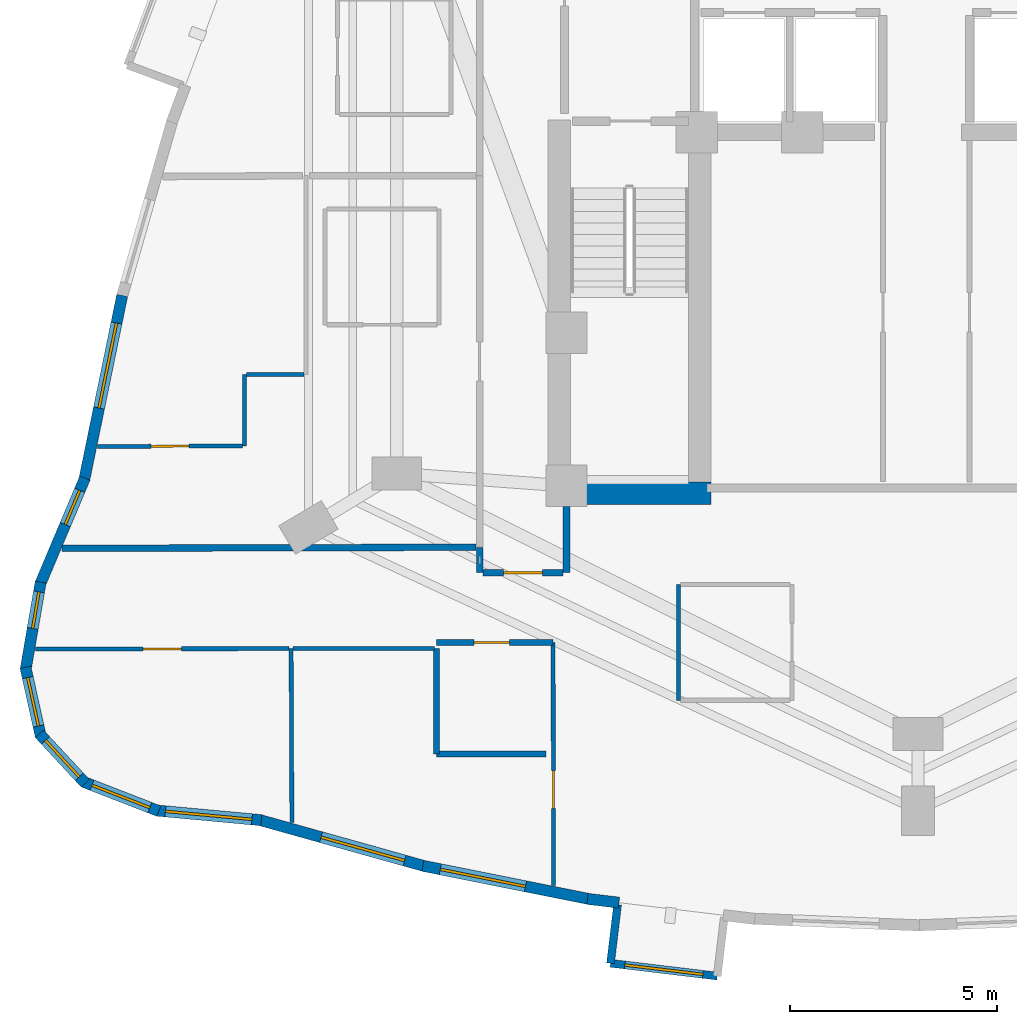
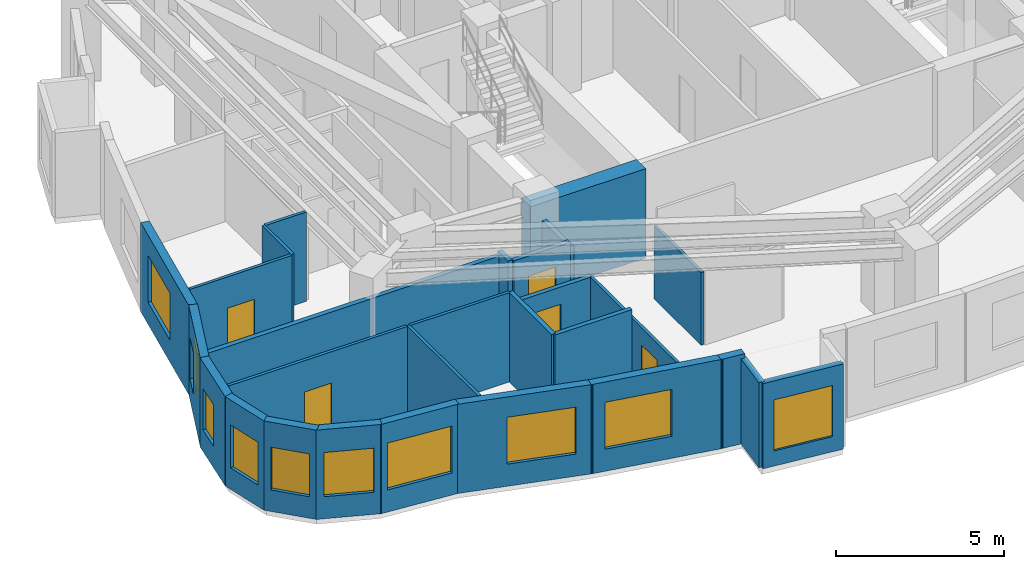
# One storey, part 8 of 14: 28 walls, 10 windows, 5 doors, 15 openings.
"""IFC4 building model written with IfcOpenShell, lengths in metres."""

from ifc_helpers import new_model, si_unit, direction, frame, frame_2d, origin, place, context, subcontext, project, spatial, rectangle, extrude, material, layer, layer_set, type_object, element, fill, save


model = new_model("IFC4")

# Units and contexts
model_context = context("Model", 3, precision=1e-05, world=origin(), true_north=direction((0.0, 1.0)))
body_context = subcontext(model_context, "Body", "Model", "MODEL_VIEW")
ifc_project = project(units=[si_unit("LENGTHUNIT", "METRE"), si_unit("AREAUNIT", "SQUARE_METRE"), si_unit("VOLUMEUNIT", "CUBIC_METRE"), si_unit("PLANEANGLEUNIT", "RADIAN"), si_unit("MASSUNIT", "GRAM", prefix="KILO")], contexts=[model_context])

# Site, building, storey
site_placement = place(None, origin())
site = spatial("IfcSite", under=ifc_project, at=site_placement, CompositionType="ELEMENT")
building_placement = place(site_placement, origin())
building = spatial("IfcBuilding", under=site, at=building_placement, Name="Miruveldt Soraemaru", CompositionType="ELEMENT")
storey_placement = place(building_placement, frame((0.0, 0.0, 142.39990234375)))
storey = spatial("IfcBuildingStorey", under=building, at=storey_placement, Name="L39", CompositionType="ELEMENT", Elevation=142.39990234375)

# Wall
ifc_material_1 = material(Name="White powder-coated aluminium EN AW-6060 T6", Category="aluminium")
ifc_layer_1 = layer(ifc_material_1, 0.18994140625, Name="White powder-coated aluminium EN AW-6060 T6", Category="aluminium")
ifc_layer_set_1 = layer_set([ifc_layer_1], Name="White powder-coated aluminium EN AW-6060 T6")
wall_type_1 = type_object("IfcWallType", Name="WALL-BAY-ALU190", PredefinedType="SOLIDWALL", material=ifc_layer_set_1)
wall_1_placement = place(storey_placement, frame((36.735595703125, 25.37060546875, 0.0), z_axis=(0.0, 0.0, 1.0), x_axis=(-0.119077659317, -0.992884943511, 0.0)))
element("IfcWall", 1, at=wall_1_placement, inside=storey, type_object=wall_type_1, Name="L39 Bay Window Side Cheek 2L", PredefinedType="SOLIDWALL", context=body_context, shape_type="SweptSolid", body=[
    extrude(rectangle(XDim=1.425048828125, YDim=0.18994140625, at=frame_2d((0.71240234375, 0.0))), origin(), (0.0, 0.0, 1.0), 3.085205078125),
])

# Wall, opening, window
wall_2_placement = place(storey_placement, frame((36.56591796875, 23.955810546875, 0.0), z_axis=(0.0, 0.0, 1.0), x_axis=(0.992874172121, -0.119167438232, 0.0)))
wall_2 = element("IfcWall", 2, at=wall_2_placement, inside=storey, type_object=wall_type_1, Name="L39 Bay Window Front Frame 2", PredefinedType="SOLIDWALL", context=body_context, shape_type="SweptSolid", body=[
    extrude(rectangle(XDim=2.599853515625, YDim=0.18994140625, at=frame_2d((1.2998046875, 0.0))), origin(), (0.0, 0.0, 1.0), 3.085205078125),
])
opening_1_placement = place(wall_2_placement, frame((0.35009765625, 0.0, 0.550048828125)))
opening_1 = element("IfcOpeningElement", 3, at=opening_1_placement, cuts=wall_2, Name="Opening WN-6", PredefinedType="OPENING", context=body_context, shape_type="SweptSolid", body=[
    extrude(rectangle(XDim=1.89990234375, YDim=1.85009765625, at=frame_2d((0.949951171875, 0.925048828125))), frame((0.0, 0.10498046875, 0.0), z_axis=(0.0, -1.0, 0.0), x_axis=(1.0, 0.0, 0.0)), (0.0, 0.0, 1.0), 0.2099609375),
])
ifc_material_2 = material(Name="Triple low-e insulated glazing", Category="glass")
window_type_1 = type_object("IfcWindowType", Name="WIN-BAYW-1900x1850", PartitioningType="SINGLE_PANEL", PredefinedType="WINDOW", material=ifc_material_2)
window_1_placement = place(opening_1_placement, origin())
window_1 = element("IfcWindow", 4, at=window_1_placement, inside=storey, type_object=window_type_1, Name="L39 Projecting Bay Window 2", OverallHeight=1.85009765625, OverallWidth=1.89990234375, PartitioningType="SINGLE_PANEL", PredefinedType="WINDOW", context=body_context, shape_type="SweptSolid", body=[
    extrude(rectangle(XDim=1.89990234375, YDim=1.85009765625, at=frame_2d((0.949951171875, 0.925048828125))), frame((0.0, 0.030029296875, 0.0), z_axis=(0.0, -1.0, 0.0), x_axis=(1.0, 0.0, 0.0)), (0.0, 0.0, 1.0), 0.06005859375),
])
fill(opening_1, window_1)

# Wall
ifc_material_3 = material(Name="Concrete C70/85 (70 MPa)", Category="concrete")
ifc_layer_2 = layer(ifc_material_3, 0.550048828125, Name="Concrete C70/85 (70 MPa)", Category="concrete")
ifc_layer_set_2 = layer_set([ifc_layer_2], Name="Concrete C70/85 (70 MPa)")
wall_type_2 = type_object("IfcWallType", Name="WALL-CW-550", PredefinedType="SHEAR", material=ifc_layer_set_2)
wall_3_placement = place(storey_placement, frame((35.050048828125, 35.324951171875, 0.0), z_axis=(0.0, 0.0, 1.0), x_axis=(1.0, 0.0, 0.0)))
element("IfcWall", 5, at=wall_3_placement, inside=storey, type_object=wall_type_2, Name="L39 Central Core Shear Wall S1", PredefinedType="SHEAR", context=body_context, shape_type="SweptSolid", body=[
    extrude(rectangle(XDim=3.949951171875, YDim=0.550048828125, at=frame_2d((1.97509765625, 0.0))), origin(), (0.0, 0.0, 1.0), 3.235107421875),
])

# Wall, opening, window
ifc_material_4 = material(Name="Precast concrete C45/55 (45 MPa)", Category="concrete")
ifc_layer_3 = layer(ifc_material_4, 0.27001953125, Name="Precast concrete C45/55 (45 MPa)", Category="concrete")
ifc_layer_set_3 = layer_set([ifc_layer_3], Name="Precast concrete C45/55 (45 MPa)")
wall_type_3 = type_object("IfcWallType", Name="WALL-EXT-PC270", PredefinedType="SOLIDWALL", material=ifc_layer_set_3)
wall_4_placement = place(storey_placement, frame((24.756591796875, 40.106201171875, 0.0), z_axis=(0.0, 0.0, 1.0), x_axis=(-0.201589720154, -0.979470053002, 0.0)))
wall_4 = element("IfcWall", 6, at=wall_4_placement, inside=storey, type_object=wall_type_3, Name="L39 Precast Concrete Facade Wall 14", PredefinedType="SOLIDWALL", context=body_context, shape_type="SweptSolid", body=[
    extrude(rectangle(XDim=4.577880859375, YDim=0.27001953125, at=frame_2d((2.2890625, 0.0))), origin(), (0.0, 0.0, 1.0), 3.235107421875),
])
opening_2_placement = place(wall_4_placement, frame((0.679931640625, 0.0, 0.800048828125)))
opening_2 = element("IfcOpeningElement", 7, at=opening_2_placement, cuts=wall_4, Name="Opening WN-1", PredefinedType="OPENING", context=body_context, shape_type="SweptSolid", body=[
    extrude(rectangle(XDim=2.10009765625, YDim=1.699951171875, at=frame_2d((1.050048828125, 0.85009765625))), frame((0.0, 0.14501953125, 0.0), z_axis=(0.0, -1.0, 0.0), x_axis=(1.0, 0.0, 0.0)), (0.0, 0.0, 1.0), 0.2900390625),
])
window_type_2 = type_object("IfcWindowType", Name="WIN-PUNCH-2100x1700", PartitioningType="SINGLE_PANEL", PredefinedType="WINDOW", material=ifc_material_2)
window_2_placement = place(opening_2_placement, origin())
window_2 = element("IfcWindow", 8, at=window_2_placement, inside=storey, type_object=window_type_2, Name="L39 Punched Triple-Glazed Window 14.1", OverallHeight=1.699951171875, OverallWidth=2.10009765625, PartitioningType="SINGLE_PANEL", PredefinedType="WINDOW", context=body_context, shape_type="SweptSolid", body=[
    extrude(rectangle(XDim=2.10009765625, YDim=1.699951171875, at=frame_2d((1.050048828125, 0.85009765625))), frame((0.0, 0.030029296875, 0.0), z_axis=(0.0, -1.0, 0.0), x_axis=(1.0, 0.0, 0.0)), (0.0, 0.0, 1.0), 0.06005859375),
])
fill(opening_2, window_2)

wall_5_placement = place(storey_placement, frame((23.8544921875, 35.688720703125, 0.0), z_axis=(0.0, 0.0, 1.0), x_axis=(-0.388633467157, -0.921392439846, 0.0)))
wall_5 = element("IfcWall", 9, at=wall_5_placement, inside=storey, type_object=wall_type_3, Name="L39 Precast Concrete Facade Wall 15", PredefinedType="SOLIDWALL", context=body_context, shape_type="SweptSolid", body=[
    extrude(rectangle(XDim=2.8017578125, YDim=0.27001953125, at=frame_2d((1.40087890625, 0.0))), origin(), (0.0, 0.0, 1.0), 3.235107421875),
])
opening_3_placement = place(wall_5_placement, frame((0.320068359375, 0.0, 0.780029296875)))
opening_3 = element("IfcOpeningElement", 10, at=opening_3_placement, cuts=wall_5, Name="Opening WN-7", PredefinedType="OPENING", context=body_context, shape_type="SweptSolid", body=[
    extrude(rectangle(XDim=0.89990234375, YDim=1.5, at=frame_2d((0.449951171875, 0.75))), frame((0.0, 0.14501953125, 0.0), z_axis=(0.0, -1.0, 0.0), x_axis=(1.0, 0.0, 0.0)), (0.0, 0.0, 1.0), 0.2900390625),
])
window_type_3 = type_object("IfcWindowType", Name="WIN-PUNCH-900x1500", PartitioningType="SINGLE_PANEL", PredefinedType="WINDOW", material=ifc_material_2)
window_3_placement = place(opening_3_placement, origin())
window_3 = element("IfcWindow", 11, at=window_3_placement, inside=storey, type_object=window_type_3, Name="L39 Punched Triple-Glazed Window 15.1", OverallHeight=1.5, OverallWidth=0.89990234375, PartitioningType="SINGLE_PANEL", PredefinedType="WINDOW", context=body_context, shape_type="SweptSolid", body=[
    extrude(rectangle(XDim=0.89990234375, YDim=1.5, at=frame_2d((0.449951171875, 0.75))), frame((0.0, 0.030029296875, 0.0), z_axis=(0.0, -1.0, 0.0), x_axis=(1.0, 0.0, 0.0)), (0.0, 0.0, 1.0), 0.06005859375),
])
fill(opening_3, window_3)

wall_6_placement = place(storey_placement, frame((22.78515625, 33.173828125, 0.0), z_axis=(0.0, 0.0, 1.0), x_axis=(-0.169346607256, -0.985556556779, 0.0)))
wall_6 = element("IfcWall", 12, at=wall_6_placement, inside=storey, type_object=wall_type_3, Name="L39 Precast Concrete Facade Wall 16", PredefinedType="SOLIDWALL", context=body_context, shape_type="SweptSolid", body=[
    extrude(rectangle(XDim=2.15966796875, YDim=0.27001953125, at=frame_2d((1.079833984375, 0.0))), origin(), (0.0, 0.0, 1.0), 3.235107421875),
])
opening_4_placement = place(wall_6_placement, frame((0.239013671875, 0.0, 0.780029296875)))
opening_4 = element("IfcOpeningElement", 13, at=opening_4_placement, cuts=wall_6, Name="Opening WN-7", PredefinedType="OPENING", context=body_context, shape_type="SweptSolid", body=[
    extrude(rectangle(XDim=0.89990234375, YDim=1.5, at=frame_2d((0.449951171875, 0.75))), frame((0.0, 0.14501953125, 0.0), z_axis=(0.0, -1.0, 0.0), x_axis=(1.0, 0.0, 0.0)), (0.0, 0.0, 1.0), 0.2900390625),
])
window_4_placement = place(opening_4_placement, origin())
window_4 = element("IfcWindow", 14, at=window_4_placement, inside=storey, type_object=window_type_3, Name="L39 Punched Triple-Glazed Window 16.1", OverallHeight=1.5, OverallWidth=0.89990234375, PartitioningType="SINGLE_PANEL", PredefinedType="WINDOW", context=body_context, shape_type="SweptSolid", body=[
    extrude(rectangle(XDim=0.89990234375, YDim=1.5, at=frame_2d((0.449951171875, 0.75))), frame((0.0, 0.030029296875, 0.0), z_axis=(0.0, -1.0, 0.0), x_axis=(1.0, 0.0, 0.0)), (0.0, 0.0, 1.0), 0.06005859375),
])
fill(opening_4, window_4)

wall_7_placement = place(storey_placement, frame((22.417724609375, 31.114013671875, 0.0), z_axis=(0.0, 0.0, 1.0), x_axis=(0.215811962155, -0.976434942529, 0.0)))
wall_7 = element("IfcWall", 15, at=wall_7_placement, inside=storey, type_object=wall_type_3, Name="L39 Precast Concrete Facade Wall 17", PredefinedType="SOLIDWALL", context=body_context, shape_type="SweptSolid", body=[
    extrude(rectangle(XDim=1.71044921875, YDim=0.27001953125, at=frame_2d((0.855224609375, 0.0))), origin(), (0.0, 0.0, 1.0), 3.235107421875),
])
opening_5_placement = place(wall_7_placement, frame((0.2548828125, 0.0, 0.780029296875)))
opening_5 = element("IfcOpeningElement", 16, at=opening_5_placement, cuts=wall_7, Name="Opening WN-4", PredefinedType="OPENING", context=body_context, shape_type="SweptSolid", body=[
    extrude(rectangle(XDim=1.199951171875, YDim=1.550048828125, at=frame_2d((0.60009765625, 0.77490234375))), frame((0.0, 0.14501953125, 0.0), z_axis=(0.0, -1.0, 0.0), x_axis=(1.0, 0.0, 0.0)), (0.0, 0.0, 1.0), 0.2900390625),
])
window_type_4 = type_object("IfcWindowType", Name="WIN-PUNCH-1200x1550", PartitioningType="SINGLE_PANEL", PredefinedType="WINDOW", material=ifc_material_2)
window_5_placement = place(opening_5_placement, origin())
window_5 = element("IfcWindow", 17, at=window_5_placement, inside=storey, type_object=window_type_4, Name="L39 Punched Triple-Glazed Window 17.1", OverallHeight=1.550048828125, OverallWidth=1.199951171875, PartitioningType="SINGLE_PANEL", PredefinedType="WINDOW", context=body_context, shape_type="SweptSolid", body=[
    extrude(rectangle(XDim=1.199951171875, YDim=1.550048828125, at=frame_2d((0.60009765625, 0.77490234375))), frame((0.0, 0.030029296875, 0.0), z_axis=(0.0, -1.0, 0.0), x_axis=(1.0, 0.0, 0.0)), (0.0, 0.0, 1.0), 0.06005859375),
])
fill(opening_5, window_5)

wall_8_placement = place(storey_placement, frame((22.755615234375, 29.503662109375, 0.0), z_axis=(0.0, 0.0, 1.0), x_axis=(0.680112240973, -0.73310800001, 0.0)))
wall_8 = element("IfcWall", 18, at=wall_8_placement, inside=storey, type_object=wall_type_3, Name="L39 Precast Concrete Facade Wall 18", PredefinedType="SOLIDWALL", context=body_context, shape_type="SweptSolid", body=[
    extrude(rectangle(XDim=1.630859375, YDim=0.27001953125, at=frame_2d((0.8154296875, 0.0))), origin(), (0.0, 0.0, 1.0), 3.235107421875),
])
opening_6_placement = place(wall_8_placement, frame((0.216064453125, 0.0, 0.780029296875)))
opening_6 = element("IfcOpeningElement", 19, at=opening_6_placement, cuts=wall_8, Name="Opening WN-4", PredefinedType="OPENING", context=body_context, shape_type="SweptSolid", body=[
    extrude(rectangle(XDim=1.199951171875, YDim=1.550048828125, at=frame_2d((0.60009765625, 0.77490234375))), frame((0.0, 0.14501953125, 0.0), z_axis=(0.0, -1.0, 0.0), x_axis=(1.0, 0.0, 0.0)), (0.0, 0.0, 1.0), 0.2900390625),
])
window_6_placement = place(opening_6_placement, origin())
window_6 = element("IfcWindow", 20, at=window_6_placement, inside=storey, type_object=window_type_4, Name="L39 Punched Triple-Glazed Window 18.1", OverallHeight=1.550048828125, OverallWidth=1.199951171875, PartitioningType="SINGLE_PANEL", PredefinedType="WINDOW", context=body_context, shape_type="SweptSolid", body=[
    extrude(rectangle(XDim=1.199951171875, YDim=1.550048828125, at=frame_2d((0.60009765625, 0.77490234375))), frame((0.0, 0.030029296875, 0.0), z_axis=(0.0, -1.0, 0.0), x_axis=(1.0, 0.0, 0.0)), (0.0, 0.0, 1.0), 0.06005859375),
])
fill(opening_6, window_6)

wall_9_placement = place(storey_placement, frame((23.808349609375, 28.3466796875, 0.0), z_axis=(0.0, 0.0, 1.0), x_axis=(0.932276798219, -0.361745727692, 0.0)))
wall_9 = element("IfcWall", 21, at=wall_9_placement, inside=storey, type_object=wall_type_3, Name="L39 Precast Concrete Facade Wall 19", PredefinedType="SOLIDWALL", context=body_context, shape_type="SweptSolid", body=[
    extrude(rectangle(XDim=1.968017578125, YDim=0.27001953125, at=frame_2d((0.98388671875, 0.0))), origin(), (0.0, 0.0, 1.0), 3.235107421875),
])
opening_7_placement = place(wall_9_placement, frame((0.23388671875, 0.0, 0.800048828125)))
opening_7 = element("IfcOpeningElement", 22, at=opening_7_placement, cuts=wall_9, Name="Opening WN-3", PredefinedType="OPENING", context=body_context, shape_type="SweptSolid", body=[
    extrude(rectangle(XDim=1.5, YDim=1.60009765625, at=frame_2d((0.75, 0.800048828125))), frame((0.0, 0.14501953125, 0.0), z_axis=(0.0, -1.0, 0.0), x_axis=(1.0, 0.0, 0.0)), (0.0, 0.0, 1.0), 0.2900390625),
])
window_type_5 = type_object("IfcWindowType", Name="WIN-PUNCH-1500x1600", PartitioningType="SINGLE_PANEL", PredefinedType="WINDOW", material=ifc_material_2)
window_7_placement = place(opening_7_placement, origin())
window_7 = element("IfcWindow", 23, at=window_7_placement, inside=storey, type_object=window_type_5, Name="L39 Punched Triple-Glazed Window 19.1", OverallHeight=1.60009765625, OverallWidth=1.5, PartitioningType="SINGLE_PANEL", PredefinedType="WINDOW", context=body_context, shape_type="SweptSolid", body=[
    extrude(rectangle(XDim=1.5, YDim=1.60009765625, at=frame_2d((0.75, 0.800048828125))), frame((0.0, 0.030029296875, 0.0), z_axis=(0.0, -1.0, 0.0), x_axis=(1.0, 0.0, 0.0)), (0.0, 0.0, 1.0), 0.06005859375),
])
fill(opening_7, window_7)

wall_10_placement = place(storey_placement, frame((25.575439453125, 27.650634765625, 0.0), z_axis=(0.0, 0.0, 1.0), x_axis=(0.995757534338, -0.092015937797, 0.0)))
wall_10 = element("IfcWall", 24, at=wall_10_placement, inside=storey, type_object=wall_type_3, Name="L39 Precast Concrete Facade Wall 20", PredefinedType="SOLIDWALL", context=body_context, shape_type="SweptSolid", body=[
    extrude(rectangle(XDim=2.5576171875, YDim=0.27001953125, at=frame_2d((1.27880859375, 0.0))), origin(), (0.0, 0.0, 1.0), 3.235107421875),
])
opening_8_placement = place(wall_10_placement, frame((0.22900390625, 0.0, 0.800048828125)))
opening_8 = element("IfcOpeningElement", 25, at=opening_8_placement, cuts=wall_10, Name="Opening WN-1", PredefinedType="OPENING", context=body_context, shape_type="SweptSolid", body=[
    extrude(rectangle(XDim=2.10009765625, YDim=1.699951171875, at=frame_2d((1.050048828125, 0.85009765625))), frame((0.0, 0.14501953125, 0.0), z_axis=(0.0, -1.0, 0.0), x_axis=(1.0, 0.0, 0.0)), (0.0, 0.0, 1.0), 0.2900390625),
])
window_8_placement = place(opening_8_placement, origin())
window_8 = element("IfcWindow", 26, at=window_8_placement, inside=storey, type_object=window_type_2, Name="L39 Punched Triple-Glazed Window 20.1", OverallHeight=1.699951171875, OverallWidth=2.10009765625, PartitioningType="SINGLE_PANEL", PredefinedType="WINDOW", context=body_context, shape_type="SweptSolid", body=[
    extrude(rectangle(XDim=2.10009765625, YDim=1.699951171875, at=frame_2d((1.050048828125, 0.85009765625))), frame((0.0, 0.030029296875, 0.0), z_axis=(0.0, -1.0, 0.0), x_axis=(1.0, 0.0, 0.0)), (0.0, 0.0, 1.0), 0.06005859375),
])
fill(opening_8, window_8)

wall_11_placement = place(storey_placement, frame((28.0537109375, 27.427978515625, 0.0), z_axis=(0.0, 0.0, 1.0), x_axis=(0.962977296409, -0.269582504257, 0.0)))
wall_11 = element("IfcWall", 27, at=wall_11_placement, inside=storey, type_object=wall_type_3, Name="L39 Precast Concrete Facade Wall 21", PredefinedType="SOLIDWALL", context=body_context, shape_type="SweptSolid", body=[
    extrude(rectangle(XDim=4.201171875, YDim=0.27001953125, at=frame_2d((2.1005859375, 0.0))), origin(), (0.0, 0.0, 1.0), 3.235107421875),
])
opening_9_placement = place(wall_11_placement, frame((1.569091796875, 0.0, 0.800048828125)))
opening_9 = element("IfcOpeningElement", 28, at=opening_9_placement, cuts=wall_11, Name="Opening WN-1", PredefinedType="OPENING", context=body_context, shape_type="SweptSolid", body=[
    extrude(rectangle(XDim=2.10009765625, YDim=1.699951171875, at=frame_2d((1.050048828125, 0.85009765625))), frame((0.0, 0.14501953125, 0.0), z_axis=(0.0, -1.0, 0.0), x_axis=(1.0, 0.0, 0.0)), (0.0, 0.0, 1.0), 0.2900390625),
])
window_9_placement = place(opening_9_placement, origin())
window_9 = element("IfcWindow", 29, at=window_9_placement, inside=storey, type_object=window_type_2, Name="L39 Punched Triple-Glazed Window 21.1", OverallHeight=1.699951171875, OverallWidth=2.10009765625, PartitioningType="SINGLE_PANEL", PredefinedType="WINDOW", context=body_context, shape_type="SweptSolid", body=[
    extrude(rectangle(XDim=2.10009765625, YDim=1.699951171875, at=frame_2d((1.050048828125, 0.85009765625))), frame((0.0, 0.030029296875, 0.0), z_axis=(0.0, -1.0, 0.0), x_axis=(1.0, 0.0, 0.0)), (0.0, 0.0, 1.0), 0.06005859375),
])
fill(opening_9, window_9)

wall_12_placement = place(storey_placement, frame((32.03125, 26.3115234375, 0.0), z_axis=(0.0, 0.0, 1.0), x_axis=(0.980582950886, -0.196104758819, 0.0)))
wall_12 = element("IfcWall", 30, at=wall_12_placement, inside=storey, type_object=wall_type_3, Name="L39 Precast Concrete Facade Wall 22", PredefinedType="SOLIDWALL", context=body_context, shape_type="SweptSolid", body=[
    extrude(rectangle(XDim=4.126953125, YDim=0.27001953125, at=frame_2d((2.0634765625, 0.0))), origin(), (0.0, 0.0, 1.0), 3.235107421875),
])
opening_10_placement = place(wall_12_placement, frame((0.426025390625, 0.0, 0.800048828125)))
opening_10 = element("IfcOpeningElement", 31, at=opening_10_placement, cuts=wall_12, Name="Opening WN-1", PredefinedType="OPENING", context=body_context, shape_type="SweptSolid", body=[
    extrude(rectangle(XDim=2.10009765625, YDim=1.699951171875, at=frame_2d((1.050048828125, 0.85009765625))), frame((0.0, 0.14501953125, 0.0), z_axis=(0.0, -1.0, 0.0), x_axis=(1.0, 0.0, 0.0)), (0.0, 0.0, 1.0), 0.2900390625),
])
window_10_placement = place(opening_10_placement, origin())
window_10 = element("IfcWindow", 32, at=window_10_placement, inside=storey, type_object=window_type_2, Name="L39 Punched Triple-Glazed Window 22.1", OverallHeight=1.699951171875, OverallWidth=2.10009765625, PartitioningType="SINGLE_PANEL", PredefinedType="WINDOW", context=body_context, shape_type="SweptSolid", body=[
    extrude(rectangle(XDim=2.10009765625, YDim=1.699951171875, at=frame_2d((1.050048828125, 0.85009765625))), frame((0.0, 0.030029296875, 0.0), z_axis=(0.0, -1.0, 0.0), x_axis=(1.0, 0.0, 0.0)), (0.0, 0.0, 1.0), 0.06005859375),
])
fill(opening_10, window_10)

# Wall
wall_13_placement = place(storey_placement, frame((36.009033203125, 25.51318359375, 0.0), z_axis=(0.0, 0.0, 1.0), x_axis=(0.992876838487, -0.119145220618, 0.0)))
element("IfcWall", 33, at=wall_13_placement, inside=storey, type_object=wall_type_3, Name="L39 Precast Pier Wall 23A", PredefinedType="SOLIDWALL", context=body_context, shape_type="SweptSolid", body=[
    extrude(rectangle(XDim=0.768310546875, YDim=0.27001953125, at=frame_2d((0.38427734375, 0.0))), origin(), (0.0, 0.0, 1.0), 3.235107421875),
])

# Wall, opening, door
ifc_material_5 = material(Name="Gypsum plasterboard lining", Category="gypsum")
ifc_layer_4 = layer(ifc_material_5, 0.10009765625, Name="Gypsum plasterboard lining", Category="gypsum")
ifc_layer_set_4 = layer_set([ifc_layer_4], Name="Gypsum plasterboard lining")
wall_type_4 = type_object("IfcWallType", Name="WALL-INT-P100", PredefinedType="PARTITIONING", material=ifc_layer_set_4)
wall_14_placement = place(storey_placement, frame((22.658935546875, 31.553955078125, 0.0), z_axis=(0.0, 0.0, 1.0), x_axis=(0.999998097665, 0.001950555582, 0.0)))
wall_14 = element("IfcWall", 34, at=wall_14_placement, inside=storey, type_object=wall_type_4, Name="L39 Partition Wall 44", PredefinedType="PARTITIONING", context=body_context, shape_type="SweptSolid", body=[
    extrude(rectangle(XDim=6.133056640625, YDim=0.10009765625, at=frame_2d((3.06640625, 0.0))), origin(), (0.0, 0.0, 1.0), 3.235107421875),
])
opening_11_placement = place(wall_14_placement, frame((2.60693359375, 0.0, 0.0)))
opening_11 = element("IfcOpeningElement", 35, at=opening_11_placement, cuts=wall_14, Name="Opening D3A", PredefinedType="OPENING", context=body_context, shape_type="SweptSolid", body=[
    extrude(rectangle(XDim=0.919921875, YDim=2.10009765625, at=frame_2d((0.4599609375, 1.050048828125))), frame((0.0, 0.06005859375, 0.0), z_axis=(0.0, -1.0, 0.0), x_axis=(1.0, 0.0, 0.0)), (0.0, 0.0, 1.0), 0.1201171875),
])
ifc_material_6 = material(Name="Anodised aluminium EN AW-6063 T6", Category="aluminium")
door_type_1 = type_object("IfcDoorType", Name="DOOR-INT-920", OperationType="NOTDEFINED", PredefinedType="DOOR", material=ifc_material_6)
door_1_placement = place(opening_11_placement, origin())
door_1 = element("IfcDoor", 36, at=door_1_placement, inside=storey, type_object=door_type_1, Name="L39 Unit 3904 BD1 Door", OperationType="SINGLE_SWING_RIGHT", OverallHeight=2.10009765625, OverallWidth=0.919921875, PredefinedType="DOOR", context=body_context, shape_type="SweptSolid", body=[
    extrude(rectangle(XDim=0.919921875, YDim=2.10009765625, at=frame_2d((0.4599609375, 1.050048828125))), frame((0.0, 0.02490234375, 0.0), z_axis=(0.0, -1.0, 0.0), x_axis=(1.0, 0.0, 0.0)), (0.0, 0.0, 1.0), 0.050048828125),
])
fill(opening_11, door_1)

wall_15_placement = place(storey_placement, frame((35.176513671875, 31.715087890625, 0.0), z_axis=(0.0, 0.0, 1.0), x_axis=(0.00244883672, -0.999997001595, 0.0)))
wall_15 = element("IfcWall", 37, at=wall_15_placement, inside=storey, type_object=wall_type_4, Name="L39 Partition Wall 46", PredefinedType="PARTITIONING", context=body_context, shape_type="SweptSolid", body=[
    extrude(rectangle(XDim=5.882080078125, YDim=0.10009765625, at=frame_2d((2.94091796875, 0.0))), origin(), (0.0, 0.0, 1.0), 2.72314453125),
])
opening_12_placement = place(wall_15_placement, frame((3.095947265625, 0.0, 0.0)))
opening_12 = element("IfcOpeningElement", 38, at=opening_12_placement, cuts=wall_15, Name="Opening D3A", PredefinedType="OPENING", context=body_context, shape_type="SweptSolid", body=[
    extrude(rectangle(XDim=0.919921875, YDim=2.10009765625, at=frame_2d((0.4599609375, 1.050048828125))), frame((0.0, 0.06005859375, 0.0), z_axis=(0.0, -1.0, 0.0), x_axis=(1.0, 0.0, 0.0)), (0.0, 0.0, 1.0), 0.1201171875),
])
door_2_placement = place(opening_12_placement, origin())
door_2 = element("IfcDoor", 39, at=door_2_placement, inside=storey, type_object=door_type_1, Name="L39 Unit 3904 EXT Door", OperationType="SINGLE_SWING_LEFT", OverallHeight=2.10009765625, OverallWidth=0.919921875, PredefinedType="DOOR", context=body_context, shape_type="SweptSolid", body=[
    extrude(rectangle(XDim=0.919921875, YDim=2.10009765625, at=frame_2d((0.4599609375, 1.050048828125))), frame((0.0, 0.02490234375, 0.0), z_axis=(0.0, -1.0, 0.0), x_axis=(1.0, 0.0, 0.0)), (0.0, 0.0, 1.0), 0.050048828125),
])
fill(opening_12, door_2)

wall_16_placement = place(storey_placement, frame((27.6640625, 36.466064453125, 0.0), z_axis=(0.0, 0.0, 1.0), x_axis=(-0.999991844486, -0.004038683029, 0.0)))
wall_16 = element("IfcWall", 40, at=wall_16_placement, inside=storey, type_object=wall_type_4, Name="L39 Partition Wall 58", PredefinedType="PARTITIONING", context=body_context, shape_type="SweptSolid", body=[
    extrude(rectangle(XDim=3.506103515625, YDim=0.10009765625, at=frame_2d((1.7529296875, 0.0))), origin(), (0.0, 0.0, 1.0), 3.235107421875),
])
opening_13_placement = place(wall_16_placement, frame((1.29296875, 0.0, 0.0)))
opening_13 = element("IfcOpeningElement", 41, at=opening_13_placement, cuts=wall_16, Name="Opening D3A", PredefinedType="OPENING", context=body_context, shape_type="SweptSolid", body=[
    extrude(rectangle(XDim=0.919921875, YDim=2.10009765625, at=frame_2d((0.4599609375, 1.050048828125))), frame((0.0, 0.06005859375, 0.0), z_axis=(0.0, -1.0, 0.0), x_axis=(1.0, 0.0, 0.0)), (0.0, 0.0, 1.0), 0.1201171875),
])
door_3_placement = place(opening_13_placement, origin())
door_3 = element("IfcDoor", 42, at=door_3_placement, inside=storey, type_object=door_type_1, Name="L39 Unit 3905 BD1 Door", OperationType="SINGLE_SWING_RIGHT", OverallHeight=2.10009765625, OverallWidth=0.919921875, PredefinedType="DOOR", context=body_context, shape_type="SweptSolid", body=[
    extrude(rectangle(XDim=0.919921875, YDim=2.10009765625, at=frame_2d((0.4599609375, 1.050048828125))), frame((0.0, 0.02490234375, 0.0), z_axis=(0.0, -1.0, 0.0), x_axis=(1.0, 0.0, 0.0)), (0.0, 0.0, 1.0), 0.050048828125),
])
fill(opening_13, door_3)

# Walls
wall_17_placement = place(storey_placement, frame((28.861083984375, 27.35791015625, 0.0), z_axis=(0.0, 0.0, 1.0), x_axis=(-0.00452536559, 0.999989760481, 0.0)))
element("IfcWall", 43, at=wall_17_placement, inside=storey, type_object=wall_type_4, Name="L39 Partition Wall 50", PredefinedType="PARTITIONING", context=body_context, shape_type="SweptSolid", body=[
    extrude(rectangle(XDim=4.2080078125, YDim=0.10009765625, at=frame_2d((2.10400390625, 0.0))), origin(), (0.0, 0.0, 1.0), 3.235107421875),
])
wall_18_placement = place(storey_placement, frame((28.89208984375, 31.56591796875, 0.0), z_axis=(0.0, 0.0, 1.0), x_axis=(1.0, 0.0, 0.0)))
element("IfcWall", 44, at=wall_18_placement, inside=storey, type_object=wall_type_4, Name="L39 Partition Wall 45", PredefinedType="PARTITIONING", context=body_context, shape_type="SweptSolid", body=[
    extrude(rectangle(XDim=3.412841796875, YDim=0.10009765625, at=frame_2d((1.70654296875, 0.0))), origin(), (0.0, 0.0, 1.0), 3.235107421875),
])
wall_19_placement = place(storey_placement, frame((38.205078125, 33.114990234375, 0.0), z_axis=(0.0, 0.0, 1.0), x_axis=(0.0, -1.0, 0.0)))
element("IfcWall", 45, at=wall_19_placement, inside=storey, type_object=wall_type_4, Name="L39 Partition Wall 42", PredefinedType="PARTITIONING", context=body_context, shape_type="SweptSolid", body=[
    extrude(rectangle(XDim=2.800048828125, YDim=0.10009765625, at=frame_2d((1.39990234375, 0.0))), origin(), (0.0, 0.0, 1.0), 2.635009765625),
])
wall_20_placement = place(storey_placement, frame((27.714111328125, 38.196044921875, 0.0), z_axis=(0.0, 0.0, 1.0), x_axis=(0.0, -1.0, 0.0)))
element("IfcWall", 46, at=wall_20_placement, inside=storey, type_object=wall_type_4, Name="L39 Partition Wall 57", PredefinedType="PARTITIONING", context=body_context, shape_type="SweptSolid", body=[
    extrude(rectangle(XDim=1.72998046875, YDim=0.10009765625, at=frame_2d((0.864990234375, 0.0))), origin(), (0.0, 0.0, 1.0), 3.235107421875),
])
wall_21_placement = place(storey_placement, frame((29.14990234375, 38.196044921875, 0.0), z_axis=(0.0, 0.0, 1.0), x_axis=(-1.0, 0.0, 0.0)))
element("IfcWall", 47, at=wall_21_placement, inside=storey, type_object=wall_type_4, Name="L39 Partition Wall 56", PredefinedType="PARTITIONING", context=body_context, shape_type="SweptSolid", body=[
    extrude(rectangle(XDim=1.385986328125, YDim=0.10009765625, at=frame_2d((0.69287109375, 0.0))), origin(), (0.0, 0.0, 1.0), 3.235107421875),
])

# Wall, opening, door
ifc_layer_5 = layer(ifc_material_5, 0.14990234375, Name="Gypsum plasterboard lining", Category="gypsum")
ifc_layer_set_5 = layer_set([ifc_layer_5], Name="Gypsum plasterboard lining")
wall_type_5 = type_object("IfcWallType", Name="WALL-INT-PLUMB", PredefinedType="PLUMBINGWALL", material=ifc_layer_set_5)
wall_22_placement = place(storey_placement, frame((35.176513671875, 31.715087890625, 0.0), z_axis=(0.0, 0.0, 1.0), x_axis=(-1.0, 0.0, 0.0)))
wall_22 = element("IfcWall", 48, at=wall_22_placement, inside=storey, type_object=wall_type_5, Name="L39 Partition Wall 39", PredefinedType="PLUMBINGWALL", context=body_context, shape_type="SweptSolid", body=[
    extrude(rectangle(XDim=2.821533203125, YDim=0.14990234375, at=frame_2d((1.41064453125, 0.0))), origin(), (0.0, 0.0, 1.0), 2.72314453125),
])
opening_14_placement = place(wall_22_placement, frame((1.056884765625, 0.0, 0.0)))
opening_14 = element("IfcOpeningElement", 49, at=opening_14_placement, cuts=wall_22, Name="Opening FD3", PredefinedType="OPENING", context=body_context, shape_type="SweptSolid", body=[
    extrude(rectangle(XDim=0.85009765625, YDim=2.10009765625, at=frame_2d((0.425048828125, 1.050048828125))), frame((0.0, 0.0849609375, 0.0), z_axis=(0.0, -1.0, 0.0), x_axis=(1.0, 0.0, 0.0)), (0.0, 0.0, 1.0), 0.169921875),
])
door_type_2 = type_object("IfcDoorType", Name="DOOR-FD3-850", OperationType="NOTDEFINED", PredefinedType="DOOR", material=ifc_material_6)
door_4_placement = place(opening_14_placement, origin())
door_4 = element("IfcDoor", 50, at=door_4_placement, inside=storey, type_object=door_type_2, Name="L39 Unit 3904 BTH Door", OperationType="SINGLE_SWING_RIGHT", OverallHeight=2.10009765625, OverallWidth=0.85009765625, PredefinedType="DOOR", context=body_context, shape_type="SweptSolid", body=[
    extrude(rectangle(XDim=0.85009765625, YDim=2.10009765625, at=frame_2d((0.425048828125, 1.050048828125))), frame((0.0, 0.02490234375, 0.0), z_axis=(0.0, -1.0, 0.0), x_axis=(1.0, 0.0, 0.0)), (0.0, 0.0, 1.0), 0.050048828125),
])
fill(opening_14, door_4)

# Walls
wall_23_placement = place(storey_placement, frame((32.35498046875, 29.014892578125, 0.0), z_axis=(0.0, 0.0, 1.0), x_axis=(1.0, 0.0, 0.0)))
element("IfcWall", 51, at=wall_23_placement, inside=storey, type_object=wall_type_5, Name="L39 Partition Wall 49", PredefinedType="PLUMBINGWALL", context=body_context, shape_type="SweptSolid", body=[
    extrude(rectangle(XDim=2.64990234375, YDim=0.14990234375, at=frame_2d((1.324951171875, 0.0))), origin(), (0.0, 0.0, 1.0), 3.235107421875),
])
wall_24_placement = place(storey_placement, frame((32.35498046875, 31.56591796875, 0.0), z_axis=(0.0, 0.0, 1.0), x_axis=(0.0, -1.0, 0.0)))
element("IfcWall", 52, at=wall_24_placement, inside=storey, type_object=wall_type_5, Name="L39 Partition Wall 48", PredefinedType="PLUMBINGWALL", context=body_context, shape_type="SweptSolid", body=[
    extrude(rectangle(XDim=2.551025390625, YDim=0.14990234375, at=frame_2d((1.275390625, 0.0))), origin(), (0.0, 0.0, 1.0), 3.235107421875),
])

# Wall, opening, door
ifc_material_7 = material(Name="Concrete C40/50 (40 MPa)", Category="concrete")
ifc_layer_6 = layer(ifc_material_7, 0.159912109375, Name="Concrete C40/50 (40 MPa)", Category="concrete")
ifc_layer_set_6 = layer_set([ifc_layer_6], Name="Concrete C40/50 (40 MPa)")
wall_type_6 = type_object("IfcWallType", Name="WALL-INT-RC160", PredefinedType="SOLIDWALL", material=ifc_layer_set_6)
wall_25_placement = place(storey_placement, frame((33.47998046875, 33.39990234375, 0.0), z_axis=(0.0, 0.0, 1.0), x_axis=(1.0, 0.0, 0.0)))
wall_25 = element("IfcWall", 53, at=wall_25_placement, inside=storey, type_object=wall_type_6, Name="L39 Partition Wall 6", PredefinedType="SOLIDWALL", context=body_context, shape_type="SweptSolid", body=[
    extrude(rectangle(XDim=1.93994140625, YDim=0.159912109375, at=frame_2d((0.969970703125, 0.0))), origin(), (0.0, 0.0, 1.0), 2.873046875),
])
opening_15_placement = place(wall_25_placement, frame((0.4951171875, 0.0, 0.0)))
opening_15 = element("IfcOpeningElement", 54, at=opening_15_placement, cuts=wall_25, Name="Opening FD2", PredefinedType="OPENING", context=body_context, shape_type="SweptSolid", body=[
    extrude(rectangle(XDim=0.949951171875, YDim=2.14990234375, at=frame_2d((0.47509765625, 1.074951171875))), frame((0.0, 0.08984375, 0.0), z_axis=(0.0, -1.0, 0.0), x_axis=(1.0, 0.0, 0.0)), (0.0, 0.0, 1.0), 0.179931640625),
])
door_type_3 = type_object("IfcDoorType", Name="DOOR-FD2-950", OperationType="NOTDEFINED", PredefinedType="DOOR", material=ifc_material_6)
door_5_placement = place(opening_15_placement, origin())
door_5 = element("IfcDoor", 55, at=door_5_placement, inside=storey, type_object=door_type_3, Name="L39 Unit 3904 Entrance Fire Door", OperationType="SINGLE_SWING_LEFT", OverallHeight=2.14990234375, OverallWidth=0.949951171875, PredefinedType="DOOR", context=body_context, shape_type="SweptSolid", body=[
    extrude(rectangle(XDim=0.949951171875, YDim=2.14990234375, at=frame_2d((0.47509765625, 1.074951171875))), frame((0.0, 0.02490234375, 0.0), z_axis=(0.0, -1.0, 0.0), x_axis=(1.0, 0.0, 0.0)), (0.0, 0.0, 1.0), 0.050048828125),
])
fill(opening_15, door_5)

# Walls
wall_26_placement = place(storey_placement, frame((33.31689453125, 34.01611328125, 0.0), z_axis=(0.0, 0.0, 1.0), x_axis=(-0.999996598753, -0.002608156882, 0.0)))
element("IfcWall", 56, at=wall_26_placement, inside=storey, type_object=wall_type_6, Name="L39 Partition Wall 47", PredefinedType="SOLIDWALL", context=body_context, shape_type="SweptSolid", body=[
    extrude(rectangle(XDim=10.015869140625, YDim=0.159912109375, at=frame_2d((5.0078125, 0.0))), origin(), (0.0, 0.0, 1.0), 2.72314453125),
])
wall_27_placement = place(storey_placement, frame((35.5, 33.39990234375, 0.0), z_axis=(0.0, 0.0, 1.0), x_axis=(0.0, 1.0, 0.0)))
element("IfcWall", 57, at=wall_27_placement, inside=storey, type_object=wall_type_6, Name="L39 Partition Wall 7", PredefinedType="SOLIDWALL", context=body_context, shape_type="SweptSolid", body=[
    extrude(rectangle(XDim=1.60400390625, YDim=0.159912109375, at=frame_2d((0.802001953125, 0.0))), origin(), (0.0, 0.0, 1.0), 2.635009765625),
])
wall_28_placement = place(storey_placement, frame((33.39990234375, 34.01611328125, 0.0), z_axis=(0.0, 0.0, 1.0), x_axis=(0.0, -1.0, 0.0)))
element("IfcWall", 58, at=wall_28_placement, inside=storey, type_object=wall_type_6, Name="L39 Partition Wall 5", PredefinedType="SOLIDWALL", context=body_context, shape_type="SweptSolid", body=[
    extrude(rectangle(XDim=0.6162109375, YDim=0.159912109375, at=frame_2d((0.30810546875, 0.0))), origin(), (0.0, 0.0, 1.0), 2.873046875),
])

save(model, "model.ifc")
